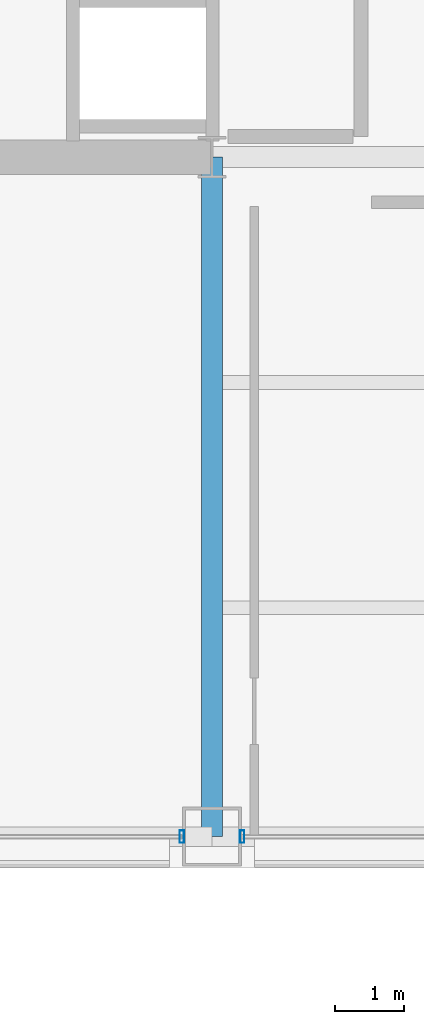
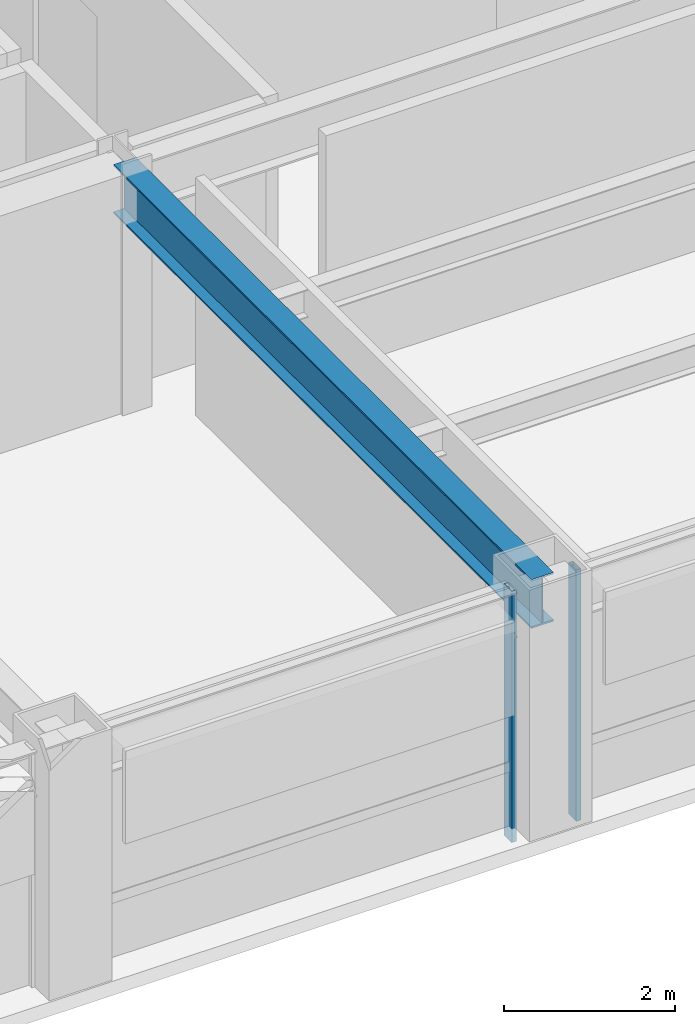
# One storey, part 5 of 29: 2 members, 1 beam, 2 elements without a shape of their own.
"""IFC4 building model written with IfcOpenShell, lengths in metres."""

from ifc_helpers import new_model, si_unit, direction, frame, origin, origin_2d, place, context, subcontext, project, spatial, hollow_rectangle, i_section, extrude, material, layer, layer_set, material_profile, profile_set, type_object, element, aggregate, save


model = new_model("IFC4")

# Units and contexts
model_context = context("Model", 3, precision=1e-05, world=origin(), true_north=direction((0.0, 1.0)))
body_context = subcontext(model_context, "Body", "Model", "MODEL_VIEW")
ifc_project = project(units=[si_unit("LENGTHUNIT", "METRE"), si_unit("AREAUNIT", "SQUARE_METRE"), si_unit("VOLUMEUNIT", "CUBIC_METRE"), si_unit("PLANEANGLEUNIT", "RADIAN"), si_unit("MASSUNIT", "GRAM", prefix="KILO")], contexts=[model_context])

# Site, building, storey
site_placement = place(None, origin())
site = spatial("IfcSite", under=ifc_project, at=site_placement, CompositionType="ELEMENT")
building_placement = place(site_placement, origin())
building = spatial("IfcBuilding", under=site, at=building_placement, Name="Brelmoor Portico Tower", CompositionType="ELEMENT")
storey_placement = place(building_placement, frame((0.0, 0.0, 95.39990234375)))
storey = spatial("IfcBuildingStorey", under=building, at=storey_placement, Name="L24", CompositionType="ELEMENT", Elevation=95.39990234375)

# Beam
ifc_material_1 = material(Name="Steel Q355B", Category="steel")
ifc_material_profile_1 = material_profile(ifc_material_1, i_section(OverallWidth=0.300048828125, OverallDepth=0.699951171875, WebThickness=0.012939453125, FlangeThickness=0.02392578125, at=origin_2d()), Name="HN 700x300x13x24")
ifc_profile_set_1 = profile_set([ifc_material_profile_1], Name="Steel Q355B")
beam_type = type_object("IfcBeamType", Name="BM-PG-700", PredefinedType="BEAM", material=ifc_profile_set_1)
beam_placement = place(storey_placement, frame((-8.050048828125, -19.550048828125, 3.050048828125), z_axis=(0.0, 1.0, 0.0), x_axis=(-1.0, 0.0, 0.0)))
element("IfcBeam", 1, at=beam_placement, inside=storey, type_object=beam_type, Name="L24 Primary Floor Girder PG-05", PredefinedType="BEAM", context=body_context, shape_type="SweptSolid", body=[
    extrude(i_section(OverallWidth=0.300048828125, OverallDepth=0.699951171875, WebThickness=0.012939453125, FlangeThickness=0.02392578125, at=origin_2d()), origin(), (0.0, 0.0, 1.0), 9.800048828125),
])

# Curtain wall, member
ifc_material_2 = material(Name="Anodised Aluminium Alloy 6063-T6", Category="aluminium")
ifc_layer = layer(ifc_material_2, 0.179931640625)
ifc_layer_set = layer_set([ifc_layer], Name="Anodised Aluminium Alloy 6063-T6")
curtain_wall_type = type_object("IfcCurtainWallType", Name="CW-TOWER-Z2", PredefinedType="NOTDEFINED", material=ifc_layer_set)
curtain_wall_1_placement = place(storey_placement, origin())
curtain_wall_1 = element("IfcCurtainWall", 2, at=curtain_wall_1_placement, inside=storey, type_object=curtain_wall_type, Name="L24 Curtain Wall CW-L24-1L-2", PredefinedType="NOTDEFINED")
ifc_material_profile_2 = material_profile(ifc_material_2, hollow_rectangle(XDim=0.06494140625, YDim=0.179931640625, WallThickness=0.00390625, at=origin_2d()), Name="ALU MULLION 65x180")
ifc_profile_set_2 = profile_set([ifc_material_profile_2], Name="Anodised Aluminium Alloy 6063-T6")
member_type = type_object("IfcMemberType", Name="MB-CW-MULL-180", PredefinedType="MULLION", material=ifc_profile_set_2)
member_1_placement = place(storey_placement, frame((-8.485107421875, -19.550048828125, -0.199951171875), z_axis=(0.0, 0.0, 1.0), x_axis=(1.0, 0.0, 0.0)))
member_1 = element("IfcMember", 3, at=member_1_placement, type_object=member_type, Name="CW-L24-1L-2 Mullion 01", PredefinedType="MULLION", context=body_context, shape_type="SweptSolid", body=[
    extrude(hollow_rectangle(XDim=0.06494140625, YDim=0.179931640625, WallThickness=0.00390625, at=origin_2d()), origin(), (0.0, 0.0, 1.0), 3.60009765625),
])
aggregate(curtain_wall_1, [member_1])

curtain_wall_2_placement = place(storey_placement, origin())
curtain_wall_2 = element("IfcCurtainWall", 4, at=curtain_wall_2_placement, inside=storey, type_object=curtain_wall_type, Name="L24 Curtain Wall CW-L24-1L-3", PredefinedType="NOTDEFINED")
member_2_placement = place(storey_placement, frame((-7.614990234375, -19.550048828125, -0.199951171875), z_axis=(0.0, 0.0, 1.0), x_axis=(1.0, 0.0, 0.0)))
member_2 = element("IfcMember", 5, at=member_2_placement, type_object=member_type, Name="CW-L24-1L-3 Mullion 00", PredefinedType="MULLION", context=body_context, shape_type="SweptSolid", body=[
    extrude(hollow_rectangle(XDim=0.06494140625, YDim=0.179931640625, WallThickness=0.00390625, at=origin_2d()), origin(), (0.0, 0.0, 1.0), 3.60009765625),
])
aggregate(curtain_wall_2, [member_2])

save(model, "model.ifc")
